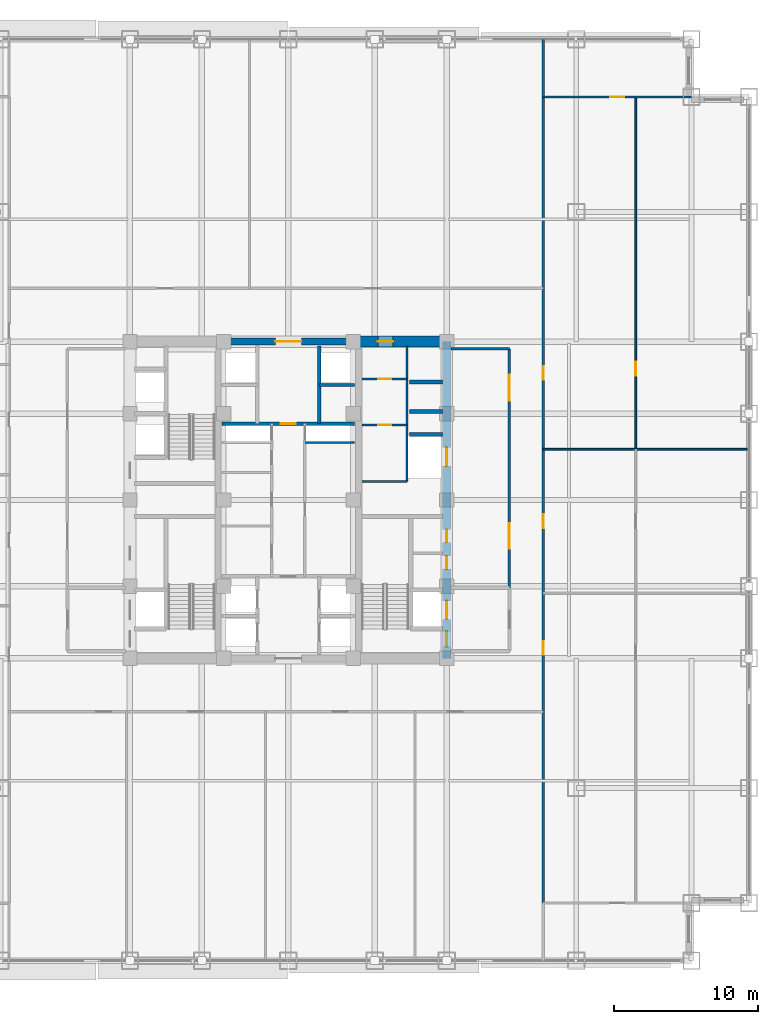
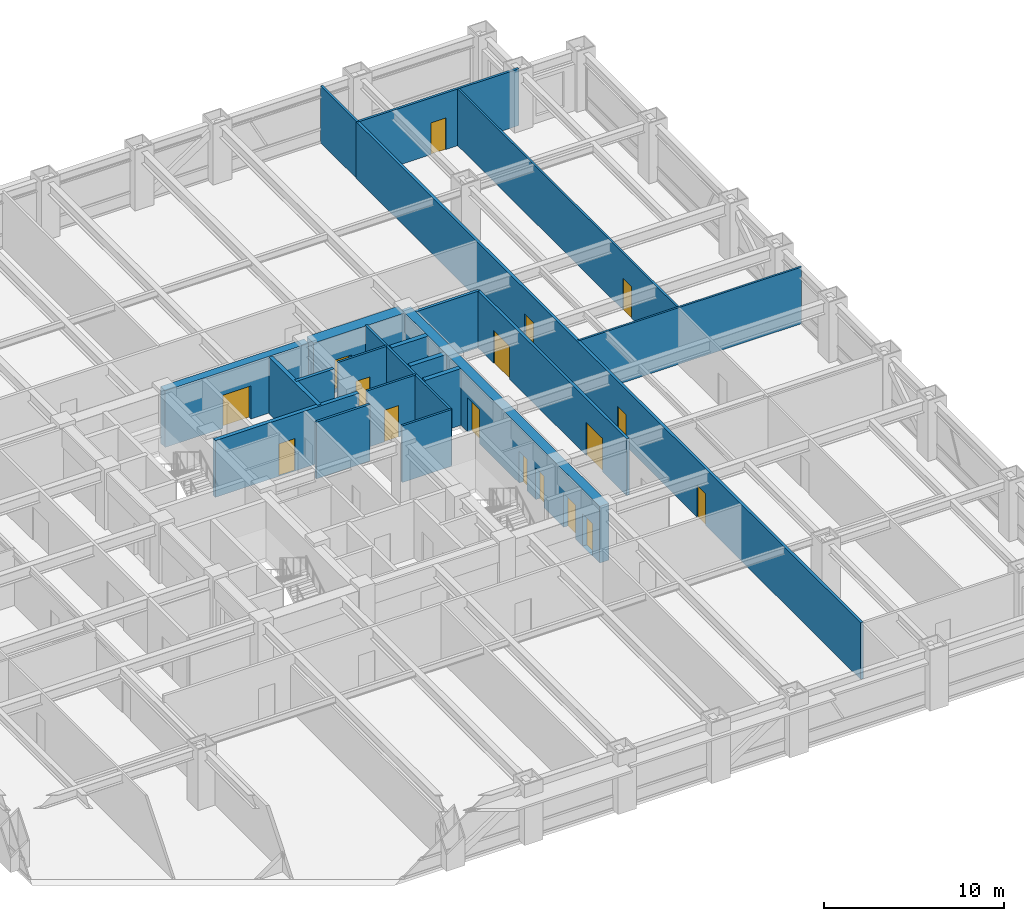
# One storey, part 26 of 32: 21 walls, 17 doors, 17 openings.
"""IFC4 building model written with IfcOpenShell, lengths in metres."""

from ifc_helpers import new_model, si_unit, direction, frame, frame_2d, origin, place, context, subcontext, project, spatial, rectangle, extrude, source, transform, mapped, material, layer, layer_set, type_object, element, fill, save


model = new_model("IFC4")

# Units and contexts
model_context = context("Model", 3, precision=1e-05, world=origin(), true_north=direction((0.0, 1.0)))
body_context = subcontext(model_context, "Body", "Model", "MODEL_VIEW")
ifc_project = project(units=[si_unit("LENGTHUNIT", "METRE"), si_unit("AREAUNIT", "SQUARE_METRE"), si_unit("VOLUMEUNIT", "CUBIC_METRE"), si_unit("PLANEANGLEUNIT", "RADIAN"), si_unit("MASSUNIT", "GRAM", prefix="KILO")], contexts=[model_context])

# Site, building, storey
site_placement = place(None, origin())
site = spatial("IfcSite", under=ifc_project, at=site_placement, CompositionType="ELEMENT")
building_placement = place(site_placement, origin())
building = spatial("IfcBuilding", under=site, at=building_placement, Name="Khorayat Bourse Tower", CompositionType="ELEMENT")
storey_placement = place(building_placement, frame((0.0, 0.0, 136.5)))
storey = spatial("IfcBuildingStorey", under=building, at=storey_placement, Name="L31", CompositionType="ELEMENT", Elevation=136.5)

# Wall, openings, doors
ifc_material_1 = material(Name="Concrete C60/75", Category="concrete")
ifc_layer_1 = layer(ifc_material_1, 0.60009765625)
ifc_layer_set_1 = layer_set([ifc_layer_1], Name="Concrete C60/75")
wall_type_1 = type_object("IfcWallType", Name="WAL-CORE-600", PredefinedType="SHEAR", material=ifc_layer_set_1)
shared_shape_1 = source(origin(), body_context, "Body", "SweptSolid", [
    extrude(rectangle(XDim=22.0, YDim=0.60009765625, at=frame_2d((11.0, 0.0))), origin(), (0.0, 0.0, 1.0), 3.840087890625),
])
wall_1_placement = place(storey_placement, frame((11.0, -11.0, 0.0), z_axis=(0.0, 0.0, 1.0), x_axis=(0.0, 1.0, 0.0)))
wall_1 = element("IfcWall", 1, at=wall_1_placement, inside=storey, type_object=wall_type_1, Name="L31 Core Shear Wall CORE-E", PredefinedType="SHEAR", context=body_context, shape_type="MappedRepresentation", body=[
    mapped(shared_shape_1, transform((0.0, 0.0, 0.0), scale=1.0)),
])
shared_shape_2 = source(origin(), body_context, "Body", "SweptSolid", [
    extrude(rectangle(XDim=1.10009765625, YDim=2.199951171875, at=frame_2d((0.550048828125, 1.10009765625))), frame((0.0, 0.31005859375, 0.0), z_axis=(0.0, -1.0, 0.0), x_axis=(1.0, 0.0, 0.0)), (0.0, 0.0, 1.0), 0.6201171875),
])
opening_1_placement = place(wall_1_placement, frame((0.800048828125, 0.0, 0.0)))
opening_1 = element("IfcOpeningElement", 2, at=opening_1_placement, cuts=wall_1, Name="Opening DI-01", PredefinedType="OPENING", context=body_context, shape_type="MappedRepresentation", body=[
    mapped(shared_shape_2, transform((0.0, 0.0, 0.0), scale=1.0)),
])
shared_shape_3 = source(origin(), body_context, "Body", "SweptSolid", [
    extrude(rectangle(XDim=0.89990234375, YDim=2.14990234375, at=frame_2d((0.449951171875, 1.074951171875))), frame((0.0, 0.31005859375, 0.0), z_axis=(0.0, -1.0, 0.0), x_axis=(1.0, 0.0, 0.0)), (0.0, 0.0, 1.0), 0.6201171875),
])
opening_2_placement = place(wall_1_placement, frame((6.199951171875, 0.0, 0.0)))
opening_2 = element("IfcOpeningElement", 3, at=opening_2_placement, cuts=wall_1, Name="Opening DI-06", PredefinedType="OPENING", context=body_context, shape_type="MappedRepresentation", body=[
    mapped(shared_shape_3, transform((0.0, 0.0, 0.0), scale=1.0)),
])
opening_3_placement = place(wall_1_placement, frame((8.050048828125, 0.0, 0.0)))
opening_3 = element("IfcOpeningElement", 4, at=opening_3_placement, cuts=wall_1, Name="Opening DI-06", PredefinedType="OPENING", context=body_context, shape_type="MappedRepresentation", body=[
    mapped(shared_shape_3, transform((0.0, 0.0, 0.0), scale=1.0)),
])
shared_shape_4 = source(origin(), body_context, "Body", "SweptSolid", [
    extrude(rectangle(XDim=1.300048828125, YDim=2.300048828125, at=frame_2d((0.64990234375, 1.14990234375))), frame((0.0, 0.31005859375, 0.0), z_axis=(0.0, -1.0, 0.0), x_axis=(1.0, 0.0, 0.0)), (0.0, 0.0, 1.0), 0.6201171875),
])
opening_4_placement = place(wall_1_placement, frame((2.699951171875, 0.0, 0.0)))
opening_4 = element("IfcOpeningElement", 5, at=opening_4_placement, cuts=wall_1, Name="Opening LD-02", PredefinedType="OPENING", context=body_context, shape_type="MappedRepresentation", body=[
    mapped(shared_shape_4, transform((0.0, 0.0, 0.0), scale=1.0)),
])
opening_5_placement = place(wall_1_placement, frame((13.35009765625, 0.0, 0.0)))
opening_5 = element("IfcOpeningElement", 6, at=opening_5_placement, cuts=wall_1, Name="Opening LD-02", PredefinedType="OPENING", context=body_context, shape_type="MappedRepresentation", body=[
    mapped(shared_shape_4, transform((0.0, 0.0, 0.0), scale=1.0)),
])
ifc_material_2 = material(Name="Fire-rated steel acoustic leaf", Category="steel")
door_type_1 = type_object("IfcDoorType", Name="DR-INT-STAIR-1100", OperationType="NOTDEFINED", PredefinedType="DOOR", material=ifc_material_2)
shared_shape_5 = source(origin(), body_context, "Body", "SweptSolid", [
    extrude(rectangle(XDim=1.10009765625, YDim=2.199951171875, at=frame_2d((0.550048828125, 1.10009765625))), frame((0.0, 0.02490234375, 0.0), z_axis=(0.0, -1.0, 0.0), x_axis=(1.0, 0.0, 0.0)), (0.0, 0.0, 1.0), 0.050048828125),
])
door_1_placement = place(opening_1_placement, origin())
door_1 = element("IfcDoor", 7, at=door_1_placement, inside=storey, type_object=door_type_1, Name="L31 Exit Stair 3 Door", OperationType="SINGLE_SWING_LEFT", OverallHeight=2.199951171875, OverallWidth=1.10009765625, PredefinedType="DOOR", context=body_context, shape_type="MappedRepresentation", body=[
    mapped(shared_shape_5, transform((0.0, 0.0, 0.0), scale=1.0)),
])
fill(opening_1, door_1)
ifc_material_3 = material(Name="Moisture-resistant laminate washroom door")
door_type_2 = type_object("IfcDoorType", Name="DR-INT-WC-900", OperationType="NOTDEFINED", PredefinedType="DOOR", material=ifc_material_3)
shared_shape_6 = source(origin(), body_context, "Body", "SweptSolid", [
    extrude(rectangle(XDim=0.89990234375, YDim=2.14990234375, at=frame_2d((0.449951171875, 1.074951171875))), frame((0.0, 0.02490234375, 0.0), z_axis=(0.0, -1.0, 0.0), x_axis=(1.0, 0.0, 0.0)), (0.0, 0.0, 1.0), 0.050048828125),
])
door_2_placement = place(opening_2_placement, origin())
door_2 = element("IfcDoor", 8, at=door_2_placement, inside=storey, type_object=door_type_2, Name="L31 Comms Closet Door", OperationType="SINGLE_SWING_LEFT", OverallHeight=2.14990234375, OverallWidth=0.89990234375, PredefinedType="DOOR", context=body_context, shape_type="MappedRepresentation", body=[
    mapped(shared_shape_6, transform((0.0, 0.0, 0.0), scale=1.0)),
])
fill(opening_2, door_2)
door_3_placement = place(opening_3_placement, origin())
door_3 = element("IfcDoor", 9, at=door_3_placement, inside=storey, type_object=door_type_2, Name="L31 Cleaner Store Door", OperationType="SINGLE_SWING_RIGHT", OverallHeight=2.14990234375, OverallWidth=0.89990234375, PredefinedType="DOOR", context=body_context, shape_type="MappedRepresentation", body=[
    mapped(shared_shape_6, transform((0.0, 0.0, 0.0), scale=1.0)),
])
fill(opening_3, door_3)
ifc_material_4 = material(Name="Fire-rated stainless-steel sliding landing door", Category="steel")
door_type_3 = type_object("IfcDoorType", Name="DR-LIFT-FF-1300", OperationType="NOTDEFINED", PredefinedType="DOOR", material=ifc_material_4)
shared_shape_7 = source(origin(), body_context, "Body", "SweptSolid", [
    extrude(rectangle(XDim=1.300048828125, YDim=2.300048828125, at=frame_2d((0.64990234375, 1.14990234375))), frame((0.0, 0.02490234375, 0.0), z_axis=(0.0, -1.0, 0.0), x_axis=(1.0, 0.0, 0.0)), (0.0, 0.0, 1.0), 0.050048828125),
])
door_4_placement = place(opening_4_placement, origin())
door_4 = element("IfcDoor", 10, at=door_4_placement, inside=storey, type_object=door_type_3, Name="L31 Lift FFL-02 Sliding Landing Door", OperationType="SLIDING_TO_LEFT", OverallHeight=2.300048828125, OverallWidth=1.300048828125, PredefinedType="DOOR", context=body_context, shape_type="MappedRepresentation", body=[
    mapped(shared_shape_7, transform((0.0, 0.0, 0.0), scale=1.0)),
])
fill(opening_4, door_4)
door_5_placement = place(opening_5_placement, origin())
door_5 = element("IfcDoor", 11, at=door_5_placement, inside=storey, type_object=door_type_3, Name="L31 Lift SVL-01 Sliding Landing Door", OperationType="SLIDING_TO_LEFT", OverallHeight=2.300048828125, OverallWidth=1.300048828125, PredefinedType="DOOR", context=body_context, shape_type="MappedRepresentation", body=[
    mapped(shared_shape_7, transform((0.0, 0.0, 0.0), scale=1.0)),
])
fill(opening_5, door_5)

# Wall, opening, door
ifc_material_5 = material(Name="Concrete C72/90", Category="concrete")
ifc_layer_2 = layer(ifc_material_5, 0.75)
ifc_layer_set_2 = layer_set([ifc_layer_2], Name="Concrete C72/90")
wall_type_2 = type_object("IfcWallType", Name="WAL-CORE-750", PredefinedType="SHEAR", material=ifc_layer_set_2)
shared_shape_8 = source(origin(), body_context, "Body", "SweptSolid", [
    extrude(rectangle(XDim=5.849853515625, YDim=0.75, at=frame_2d((2.9248046875, 0.0))), origin(), (0.0, 0.0, 1.0), 3.840087890625),
])
wall_2_placement = place(storey_placement, frame((4.85009765625, 11.0, 0.0), z_axis=(0.0, 0.0, 1.0), x_axis=(1.0, 0.0, 0.0)))
wall_2 = element("IfcWall", 12, at=wall_2_placement, inside=storey, type_object=wall_type_2, Name="L31 Core Shear Wall PIER-EN", PredefinedType="SHEAR", context=body_context, shape_type="MappedRepresentation", body=[
    mapped(shared_shape_8, transform((0.0, 0.0, 0.0), scale=1.0)),
])
shared_shape_9 = source(origin(), body_context, "Body", "SweptSolid", [
    extrude(rectangle(XDim=1.050048828125, YDim=2.199951171875, at=frame_2d((0.52490234375, 1.10009765625))), frame((0.0, 0.385009765625, 0.0), z_axis=(0.0, -1.0, 0.0), x_axis=(1.0, 0.0, 0.0)), (0.0, 0.0, 1.0), 0.77001953125),
])
opening_6_placement = place(wall_2_placement, frame((1.375, 0.0, 0.0)))
opening_6 = element("IfcOpeningElement", 13, at=opening_6_placement, cuts=wall_2, Name="Opening DI-04", PredefinedType="OPENING", context=body_context, shape_type="MappedRepresentation", body=[
    mapped(shared_shape_9, transform((0.0, 0.0, 0.0), scale=1.0)),
])
ifc_material_6 = material(Name="Fire-rated oak veneer suite entrance door")
door_type_4 = type_object("IfcDoorType", Name="DR-INT-SUITE-1050", OperationType="NOTDEFINED", PredefinedType="DOOR", material=ifc_material_6)
shared_shape_10 = source(origin(), body_context, "Body", "SweptSolid", [
    extrude(rectangle(XDim=1.050048828125, YDim=2.199951171875, at=frame_2d((0.52490234375, 1.10009765625))), frame((0.0, 0.02490234375, 0.0), z_axis=(0.0, -1.0, 0.0), x_axis=(1.0, 0.0, 0.0)), (0.0, 0.0, 1.0), 0.050048828125),
])
door_6_placement = place(opening_6_placement, origin())
door_6 = element("IfcDoor", 14, at=door_6_placement, inside=storey, type_object=door_type_4, Name="L31 Core Washroom Lobby Door", OperationType="SINGLE_SWING_LEFT", OverallHeight=2.199951171875, OverallWidth=1.050048828125, PredefinedType="DOOR", context=body_context, shape_type="MappedRepresentation", body=[
    mapped(shared_shape_10, transform((0.0, 0.0, 0.0), scale=1.0)),
])
fill(opening_6, door_6)

ifc_material_7 = material(Name="Concrete C52/65", Category="concrete")
ifc_layer_3 = layer(ifc_material_7, 0.5)
ifc_layer_set_3 = layer_set([ifc_layer_3], Name="Concrete C52/65")
wall_type_3 = type_object("IfcWallType", Name="WAL-CORE-500", PredefinedType="SHEAR", material=ifc_layer_set_3)
shared_shape_11 = source(origin(), body_context, "Body", "SweptSolid", [
    extrude(rectangle(XDim=9.2001953125, YDim=0.5, at=frame_2d((4.60009765625, 0.0))), origin(), (0.0, 0.0, 1.0), 3.840087890625),
])
wall_3_placement = place(storey_placement, frame((-4.60009765625, 11.0, 0.0), z_axis=(0.0, 0.0, 1.0), x_axis=(1.0, 0.0, 0.0)))
wall_3 = element("IfcWall", 15, at=wall_3_placement, inside=storey, type_object=wall_type_3, Name="L31 Core Shear Wall CORE-N", PredefinedType="SHEAR", context=body_context, shape_type="MappedRepresentation", body=[
    mapped(shared_shape_11, transform((0.0, 0.0, 0.0), scale=1.0)),
])
shared_shape_12 = source(origin(), body_context, "Body", "SweptSolid", [
    extrude(rectangle(XDim=1.800048828125, YDim=2.25, at=frame_2d((0.89990234375, 1.125))), frame((0.0, 0.260009765625, 0.0), z_axis=(0.0, -1.0, 0.0), x_axis=(1.0, 0.0, 0.0)), (0.0, 0.0, 1.0), 0.52001953125),
])
opening_7_placement = place(wall_3_placement, frame((3.699951171875, 0.0, 0.0)))
opening_7 = element("IfcOpeningElement", 16, at=opening_7_placement, cuts=wall_3, Name="Opening DI-03", PredefinedType="OPENING", context=body_context, shape_type="MappedRepresentation", body=[
    mapped(shared_shape_12, transform((0.0, 0.0, 0.0), scale=1.0)),
])
ifc_material_8 = material(Name="Fire-rated hardwood vision-panel double leaf", Category="wood")
door_type_5 = type_object("IfcDoorType", Name="DR-INT-CORR-1800", OperationType="NOTDEFINED", PredefinedType="DOOR", material=ifc_material_8)
shared_shape_13 = source(origin(), body_context, "Body", "SweptSolid", [
    extrude(rectangle(XDim=1.800048828125, YDim=2.25, at=frame_2d((0.89990234375, 1.125))), frame((0.0, 0.02490234375, 0.0), z_axis=(0.0, -1.0, 0.0), x_axis=(1.0, 0.0, 0.0)), (0.0, 0.0, 1.0), 0.050048828125),
])
door_7_placement = place(opening_7_placement, origin())
door_7 = element("IfcDoor", 17, at=door_7_placement, inside=storey, type_object=door_type_5, Name="L31 Mid-Rise Lift Lobby Door", OperationType="SINGLE_SWING_RIGHT", OverallHeight=2.25, OverallWidth=1.800048828125, PredefinedType="DOOR", context=body_context, shape_type="MappedRepresentation", body=[
    mapped(shared_shape_13, transform((0.0, 0.0, 0.0), scale=1.0)),
])
fill(opening_7, door_7)

# Walls
ifc_material_9 = material(Name="Concrete C50/60", Category="concrete")
ifc_layer_4 = layer(ifc_material_9, 0.300048828125)
ifc_layer_set_4 = layer_set([ifc_layer_4], Name="Concrete C50/60")
wall_type_4 = type_object("IfcWallType", Name="WAL-SHAFT-300", PredefinedType="SHEAR", material=ifc_layer_set_4)
shared_shape_14 = source(origin(), body_context, "Body", "SweptSolid", [
    extrude(rectangle(XDim=2.300048828125, YDim=0.300048828125, at=frame_2d((1.14990234375, 0.0))), origin(), (0.0, 0.0, 1.0), 3.840087890625),
])
for number, where, z_axis, x_axis, name in (
    (18, (8.39990234375, 4.550048828125, 0.0), (0.0, 0.0, 1.0), (1.0, 0.0, 0.0), "L31 Partition WAL-L31-EPIER-SVLN"),
    (19, (8.39990234375, 6.14990234375, 0.0), (0.0, 0.0, 1.0), (1.0, 0.0, 0.0), "L31 Partition WAL-L31-EPIER-H3S"),
    (20, (8.39990234375, 8.199951171875, 0.0), (0.0, 0.0, 1.0), (1.0, 0.0, 0.0), "L31 Partition WAL-L31-EPIER-H34"),
):
    element("IfcWall", number, at=place(storey_placement, frame(where, z_axis=z_axis, x_axis=x_axis)), inside=storey, type_object=wall_type_4, Name=name, PredefinedType="SHEAR", context=body_context, shape_type="MappedRepresentation", body=[
        mapped(shared_shape_14, transform((0.0, 0.0, 0.0), scale=1.0)),
    ])
ifc_material_10 = material(Name="Moisture-resistant masonry partition", Category="masonry")
ifc_layer_5 = layer(ifc_material_10, 0.139892578125)
ifc_layer_set_5 = layer_set([ifc_layer_5], Name="Moisture-resistant masonry partition")
wall_type_5 = type_object("IfcWallType", Name="WAL-PART-WET-140", PredefinedType="PARTITIONING", material=ifc_layer_set_5)
shared_shape_15 = source(origin(), body_context, "Body", "SweptSolid", [
    extrude(rectangle(XDim=9.39990234375, YDim=0.139892578125, at=frame_2d((4.699951171875, 0.0))), origin(), (0.0, 0.0, 1.0), 3.840087890625),
])
wall_4_placement = place(storey_placement, frame((8.25, 1.300048828125, 0.0), z_axis=(0.0, 0.0, 1.0), x_axis=(0.0, 1.0, 0.0)))
element("IfcWall", 21, at=wall_4_placement, inside=storey, type_object=wall_type_5, Name="L31 Partition WAL-L31-ECORE-E", PredefinedType="PARTITIONING", context=body_context, shape_type="MappedRepresentation", body=[
    mapped(shared_shape_15, transform((0.0, 0.0, 0.0), scale=1.0)),
])
shared_shape_16 = source(origin(), body_context, "Body", "SweptSolid", [
    extrude(rectangle(XDim=3.14990234375, YDim=0.139892578125, at=frame_2d((1.574951171875, 0.0))), origin(), (0.0, 0.0, 1.0), 3.840087890625),
])
wall_5_placement = place(storey_placement, frame((5.10009765625, 1.300048828125, 0.0), z_axis=(0.0, 0.0, 1.0), x_axis=(1.0, 0.0, 0.0)))
element("IfcWall", 22, at=wall_5_placement, inside=storey, type_object=wall_type_5, Name="L31 Partition WAL-L31-ECORE-S", PredefinedType="PARTITIONING", context=body_context, shape_type="MappedRepresentation", body=[
    mapped(shared_shape_16, transform((0.0, 0.0, 0.0), scale=1.0)),
])

# Wall, opening, door
wall_6_placement = place(storey_placement, frame((5.10009765625, 8.39990234375, 0.0), z_axis=(0.0, 0.0, 1.0), x_axis=(1.0, 0.0, 0.0)))
wall_6 = element("IfcWall", 23, at=wall_6_placement, inside=storey, type_object=wall_type_5, Name="L31 Partition WAL-L31-ECW-TOP", PredefinedType="PARTITIONING", context=body_context, shape_type="MappedRepresentation", body=[
    mapped(shared_shape_16, transform((0.0, 0.0, 0.0), scale=1.0)),
])
shared_shape_17 = source(origin(), body_context, "Body", "SweptSolid", [
    extrude(rectangle(XDim=0.89990234375, YDim=2.14990234375, at=frame_2d((0.449951171875, 1.074951171875))), frame((0.0, 0.079833984375, 0.0), z_axis=(0.0, -1.0, 0.0), x_axis=(1.0, 0.0, 0.0)), (0.0, 0.0, 1.0), 0.159912109375),
])
opening_8_placement = place(wall_6_placement, frame((1.1298828125, 0.0, 0.0)))
opening_8 = element("IfcOpeningElement", 24, at=opening_8_placement, cuts=wall_6, Name="Opening DI-06", PredefinedType="OPENING", context=body_context, shape_type="MappedRepresentation", body=[
    mapped(shared_shape_17, transform((0.0, 0.0, 0.0), scale=1.0)),
])
door_8_placement = place(opening_8_placement, origin())
door_8 = element("IfcDoor", 25, at=door_8_placement, inside=storey, type_object=door_type_2, Name="L31 Accessible WC Door", OperationType="SINGLE_SWING_LEFT", OverallHeight=2.14990234375, OverallWidth=0.89990234375, PredefinedType="DOOR", context=body_context, shape_type="MappedRepresentation", body=[
    mapped(shared_shape_6, transform((0.0, 0.0, 0.0), scale=1.0)),
])
fill(opening_8, door_8)

wall_7_placement = place(storey_placement, frame((5.10009765625, 5.199951171875, 0.0), z_axis=(0.0, 0.0, 1.0), x_axis=(1.0, 0.0, 0.0)))
wall_7 = element("IfcWall", 26, at=wall_7_placement, inside=storey, type_object=wall_type_5, Name="L31 Partition WAL-L31-ECW-HZ", PredefinedType="PARTITIONING", context=body_context, shape_type="MappedRepresentation", body=[
    mapped(shared_shape_16, transform((0.0, 0.0, 0.0), scale=1.0)),
])
opening_9_placement = place(wall_7_placement, frame((1.1298828125, 0.0, 0.0)))
opening_9 = element("IfcOpeningElement", 27, at=opening_9_placement, cuts=wall_7, Name="Opening DI-06", PredefinedType="OPENING", context=body_context, shape_type="MappedRepresentation", body=[
    mapped(shared_shape_17, transform((0.0, 0.0, 0.0), scale=1.0)),
])
door_9_placement = place(opening_9_placement, origin())
door_9 = element("IfcDoor", 28, at=door_9_placement, inside=storey, type_object=door_type_2, Name="L31 Shared Washroom Door", OperationType="SINGLE_SWING_RIGHT", OverallHeight=2.14990234375, OverallWidth=0.89990234375, PredefinedType="DOOR", context=body_context, shape_type="MappedRepresentation", body=[
    mapped(shared_shape_6, transform((0.0, 0.0, 0.0), scale=1.0)),
])
fill(opening_9, door_9)

# Wall
ifc_material_11 = material(Name="Gypsum plasterboard acoustic stud wall")
ifc_layer_6 = layer(ifc_material_11, 0.179931640625)
ifc_layer_set_6 = layer_set([ifc_layer_6], Name="Gypsum plasterboard acoustic stud wall")
wall_type_6 = type_object("IfcWallType", Name="WAL-PART-CORR-180", PredefinedType="PARTITIONING", material=ifc_layer_set_6)
shared_shape_18 = source(origin(), body_context, "Body", "SweptSolid", [
    extrude(rectangle(XDim=4.050048828125, YDim=0.179931640625, at=frame_2d((2.02490234375, 0.0))), origin(), (0.0, 0.0, 1.0), 3.840087890625),
])
wall_8_placement = place(storey_placement, frame((11.300048828125, 10.5, 0.0), z_axis=(0.0, 0.0, 1.0), x_axis=(1.0, 0.0, 0.0)))
element("IfcWall", 29, at=wall_8_placement, inside=storey, type_object=wall_type_6, Name="L31 Partition WAL-L31-ELOB-N", PredefinedType="PARTITIONING", context=body_context, shape_type="MappedRepresentation", body=[
    mapped(shared_shape_18, transform((0.0, 0.0, 0.0), scale=1.0)),
])

# Wall, openings, doors
shared_shape_19 = source(origin(), body_context, "Body", "SweptSolid", [
    extrude(rectangle(XDim=16.60009765625, YDim=0.179931640625, at=frame_2d((8.300048828125, 0.0))), origin(), (0.0, 0.0, 1.0), 3.840087890625),
])
wall_9_placement = place(storey_placement, frame((15.35009765625, -6.10009765625, 0.0), z_axis=(0.0, 0.0, 1.0), x_axis=(0.0, 1.0, 0.0)))
wall_9 = element("IfcWall", 30, at=wall_9_placement, inside=storey, type_object=wall_type_6, Name="L31 Partition WAL-L31-ELOB-E", PredefinedType="PARTITIONING", context=body_context, shape_type="MappedRepresentation", body=[
    mapped(shared_shape_19, transform((0.0, 0.0, 0.0), scale=1.0)),
])
shared_shape_20 = source(origin(), body_context, "Body", "SweptSolid", [
    extrude(rectangle(XDim=1.800048828125, YDim=2.25, at=frame_2d((0.89990234375, 1.125))), frame((0.0, 0.099853515625, 0.0), z_axis=(0.0, -1.0, 0.0), x_axis=(1.0, 0.0, 0.0)), (0.0, 0.0, 1.0), 0.199951171875),
])
opening_10_placement = place(wall_9_placement, frame((2.699951171875, 0.0, 0.0)))
opening_10 = element("IfcOpeningElement", 31, at=opening_10_placement, cuts=wall_9, Name="Opening DI-03", PredefinedType="OPENING", context=body_context, shape_type="MappedRepresentation", body=[
    mapped(shared_shape_20, transform((0.0, 0.0, 0.0), scale=1.0)),
])
opening_11_placement = place(wall_9_placement, frame((13.0, 0.0, 0.0)))
opening_11 = element("IfcOpeningElement", 32, at=opening_11_placement, cuts=wall_9, Name="Opening DI-03", PredefinedType="OPENING", context=body_context, shape_type="MappedRepresentation", body=[
    mapped(shared_shape_20, transform((0.0, 0.0, 0.0), scale=1.0)),
])
door_10_placement = place(opening_10_placement, origin())
door_10 = element("IfcDoor", 33, at=door_10_placement, inside=storey, type_object=door_type_5, Name="L31 East Core Lobby South Door", OperationType="SINGLE_SWING_RIGHT", OverallHeight=2.25, OverallWidth=1.800048828125, PredefinedType="DOOR", context=body_context, shape_type="MappedRepresentation", body=[
    mapped(shared_shape_13, transform((0.0, 0.0, 0.0), scale=1.0)),
])
fill(opening_10, door_10)
door_11_placement = place(opening_11_placement, origin())
door_11 = element("IfcDoor", 34, at=door_11_placement, inside=storey, type_object=door_type_5, Name="L31 East Core Lobby North Door", OperationType="SINGLE_SWING_LEFT", OverallHeight=2.25, OverallWidth=1.800048828125, PredefinedType="DOOR", context=body_context, shape_type="MappedRepresentation", body=[
    mapped(shared_shape_13, transform((0.0, 0.0, 0.0), scale=1.0)),
])
fill(opening_11, door_11)

# Walls
ifc_material_12 = material(Name="Gypsum plasterboard twin-frame partition")
ifc_layer_7 = layer(ifc_material_12, 0.14990234375)
ifc_layer_set_7 = layer_set([ifc_layer_7], Name="Gypsum plasterboard twin-frame partition")
wall_type_7 = type_object("IfcWallType", Name="WAL-PART-SUITE-150", PredefinedType="PARTITIONING", material=ifc_layer_set_7)
shared_shape_21 = source(origin(), body_context, "Body", "SweptSolid", [
    extrude(rectangle(XDim=3.4501953125, YDim=0.14990234375, at=frame_2d((1.72509765625, 0.0))), origin(), (0.0, 0.0, 1.0), 3.840087890625),
])
wall_10_placement = place(storey_placement, frame((1.14990234375, 4.0, 0.0), z_axis=(0.0, 0.0, 1.0), x_axis=(1.0, 0.0, 0.0)))
element("IfcWall", 35, at=wall_10_placement, inside=storey, type_object=wall_type_7, Name="L31 Partition WAL-L31-CRSE-S", PredefinedType="PARTITIONING", context=body_context, shape_type="MappedRepresentation", body=[
    mapped(shared_shape_21, transform((0.0, 0.0, 0.0), scale=1.0)),
])
shared_shape_22 = source(origin(), body_context, "Body", "SweptSolid", [
    extrude(rectangle(XDim=5.39990234375, YDim=0.25, at=frame_2d((2.699951171875, 0.0))), origin(), (0.0, 0.0, 1.0), 3.840087890625),
])
wall_11_placement = place(storey_placement, frame((2.14990234375, 5.300048828125, 0.0), z_axis=(0.0, 0.0, 1.0), x_axis=(0.0, 1.0, 0.0)))
element("IfcWall", 36, at=wall_11_placement, inside=storey, type_object=wall_type_4, Name="L31 Partition WAL-L31-B2-E", PredefinedType="SHEAR", context=body_context, shape_type="MappedRepresentation", body=[
    mapped(shared_shape_22, transform((0.0, 0.0, 0.0), scale=1.0)),
])
shared_shape_23 = source(origin(), body_context, "Body", "SweptSolid", [
    extrude(rectangle(XDim=2.4501953125, YDim=0.199951171875, at=frame_2d((1.22509765625, 0.0))), origin(), (0.0, 0.0, 1.0), 3.840087890625),
])
wall_12_placement = place(storey_placement, frame((2.14990234375, 8.0, 0.0), z_axis=(0.0, 0.0, 1.0), x_axis=(1.0, 0.0, 0.0)))
element("IfcWall", 37, at=wall_12_placement, inside=storey, type_object=wall_type_4, Name="L31 Partition WAL-L31-B2-ME", PredefinedType="SHEAR", context=body_context, shape_type="MappedRepresentation", body=[
    mapped(shared_shape_23, transform((0.0, 0.0, 0.0), scale=1.0)),
])

# Wall, opening, door
shared_shape_24 = source(origin(), body_context, "Body", "SweptSolid", [
    extrude(rectangle(XDim=9.2001953125, YDim=0.25, at=frame_2d((4.60009765625, 0.0))), origin(), (0.0, 0.0, 1.0), 3.840087890625),
])
wall_13_placement = place(storey_placement, frame((-4.60009765625, 5.300048828125, 0.0), z_axis=(0.0, 0.0, 1.0), x_axis=(1.0, 0.0, 0.0)))
wall_13 = element("IfcWall", 38, at=wall_13_placement, inside=storey, type_object=wall_type_4, Name="L31 Partition WAL-L31-B2-S", PredefinedType="SHEAR", context=body_context, shape_type="MappedRepresentation", body=[
    mapped(shared_shape_24, transform((0.0, 0.0, 0.0), scale=1.0)),
])
shared_shape_25 = source(origin(), body_context, "Body", "SweptSolid", [
    extrude(rectangle(XDim=1.050048828125, YDim=2.199951171875, at=frame_2d((0.52490234375, 1.10009765625))), frame((0.0, 0.135009765625, 0.0), z_axis=(0.0, -1.0, 0.0), x_axis=(1.0, 0.0, 0.0)), (0.0, 0.0, 1.0), 0.27001953125),
])
opening_12_placement = place(wall_13_placement, frame((4.074951171875, 0.0, 0.0)))
opening_12 = element("IfcOpeningElement", 39, at=opening_12_placement, cuts=wall_13, Name="Opening DI-04", PredefinedType="OPENING", context=body_context, shape_type="MappedRepresentation", body=[
    mapped(shared_shape_25, transform((0.0, 0.0, 0.0), scale=1.0)),
])
door_12_placement = place(opening_12_placement, origin())
door_12 = element("IfcDoor", 40, at=door_12_placement, inside=storey, type_object=door_type_4, Name="L31 Core Spine North Door", OperationType="SINGLE_SWING_RIGHT", OverallHeight=2.199951171875, OverallWidth=1.050048828125, PredefinedType="DOOR", context=body_context, shape_type="MappedRepresentation", body=[
    mapped(shared_shape_10, transform((0.0, 0.0, 0.0), scale=1.0)),
])
fill(opening_12, door_12)

# Walls
shared_shape_26 = source(origin(), body_context, "Body", "SweptSolid", [
    extrude(rectangle(XDim=4.0, YDim=0.14990234375, at=frame_2d((2.0, 0.0))), origin(), (0.0, 0.0, 1.0), 3.840087890625),
])
wall_14_placement = place(storey_placement, frame((17.699951171875, 28.0, 0.0), z_axis=(0.0, 0.0, 1.0), x_axis=(0.0, 1.0, 0.0)))
element("IfcWall", 41, at=wall_14_placement, inside=storey, type_object=wall_type_7, Name="L31 Partition WAL-L31-NCE-END", PredefinedType="PARTITIONING", context=body_context, shape_type="MappedRepresentation", body=[
    mapped(shared_shape_26, transform((0.0, 0.0, 0.0), scale=1.0)),
])
ifc_material_13 = material(Name="Gypsum plasterboard partition")
ifc_layer_8 = layer(ifc_material_13, 0.125)
ifc_layer_set_8 = layer_set([ifc_layer_8], Name="Gypsum plasterboard partition")
wall_type_8 = type_object("IfcWallType", Name="WAL-PART-ROOM-125", PredefinedType="PARTITIONING", material=ifc_layer_set_8)
shared_shape_27 = source(origin(), body_context, "Body", "SweptSolid", [
    extrude(rectangle(XDim=14.300048828125, YDim=0.125, at=frame_2d((7.14990234375, 0.0))), origin(), (0.0, 0.0, 1.0), 3.840087890625),
])
wall_15_placement = place(storey_placement, frame((17.699951171875, 3.528076171875, 0.0), z_axis=(0.0, 0.0, 1.0), x_axis=(1.0, 0.0, 0.0)))
element("IfcWall", 42, at=wall_15_placement, inside=storey, type_object=wall_type_8, Name="L31 Partition WAL-L31-EDV-2", PredefinedType="PARTITIONING", context=body_context, shape_type="MappedRepresentation", body=[
    mapped(shared_shape_27, transform((0.0, 0.0, 0.0), scale=1.0)),
])

# Wall, openings, doors
shared_shape_28 = source(origin(), body_context, "Body", "SweptSolid", [
    extrude(rectangle(XDim=56.0, YDim=0.179931640625, at=frame_2d((28.0, 0.0))), origin(), (0.0, 0.0, 1.0), 3.840087890625),
])
wall_16_placement = place(storey_placement, frame((17.699951171875, -28.0, 0.0), z_axis=(0.0, 0.0, 1.0), x_axis=(0.0, 1.0, 0.0)))
wall_16 = element("IfcWall", 43, at=wall_16_placement, inside=storey, type_object=wall_type_6, Name="L31 Partition WAL-L31-ECORR", PredefinedType="PARTITIONING", context=body_context, shape_type="MappedRepresentation", body=[
    mapped(shared_shape_28, transform((0.0, 0.0, 0.0), scale=1.0)),
])
shared_shape_29 = source(origin(), body_context, "Body", "SweptSolid", [
    extrude(rectangle(XDim=0.949951171875, YDim=2.14990234375, at=frame_2d((0.47509765625, 1.074951171875))), frame((0.0, 0.099853515625, 0.0), z_axis=(0.0, -1.0, 0.0), x_axis=(1.0, 0.0, 0.0)), (0.0, 0.0, 1.0), 0.199951171875),
])
opening_13_placement = place(wall_16_placement, frame((17.240966796875, 0.0, 0.0)))
opening_13 = element("IfcOpeningElement", 44, at=opening_13_placement, cuts=wall_16, Name="Opening DI-05", PredefinedType="OPENING", context=body_context, shape_type="MappedRepresentation", body=[
    mapped(shared_shape_29, transform((0.0, 0.0, 0.0), scale=1.0)),
])
opening_14_placement = place(wall_16_placement, frame((26.054931640625, 0.0, 0.0)))
opening_14 = element("IfcOpeningElement", 45, at=opening_14_placement, cuts=wall_16, Name="Opening DI-05", PredefinedType="OPENING", context=body_context, shape_type="MappedRepresentation", body=[
    mapped(shared_shape_29, transform((0.0, 0.0, 0.0), scale=1.0)),
])
opening_15_placement = place(wall_16_placement, frame((36.339111328125, 0.0, 0.0)))
opening_15 = element("IfcOpeningElement", 46, at=opening_15_placement, cuts=wall_16, Name="Opening DI-05", PredefinedType="OPENING", context=body_context, shape_type="MappedRepresentation", body=[
    mapped(shared_shape_29, transform((0.0, 0.0, 0.0), scale=1.0)),
])
ifc_material_14 = material(Name="Acoustic oak veneer office door")
door_type_6 = type_object("IfcDoorType", Name="DR-INT-OFFICE-950", OperationType="NOTDEFINED", PredefinedType="DOOR", material=ifc_material_14)
shared_shape_30 = source(origin(), body_context, "Body", "SweptSolid", [
    extrude(rectangle(XDim=0.949951171875, YDim=2.14990234375, at=frame_2d((0.47509765625, 1.074951171875))), frame((0.0, 0.02490234375, 0.0), z_axis=(0.0, -1.0, 0.0), x_axis=(1.0, 0.0, 0.0)), (0.0, 0.0, 1.0), 0.050048828125),
])
door_13_placement = place(opening_13_placement, origin())
door_13 = element("IfcDoor", 47, at=door_13_placement, inside=storey, type_object=door_type_6, Name="L31 Floor Reception Concierge E1 Door", OperationType="SINGLE_SWING_RIGHT", OverallHeight=2.14990234375, OverallWidth=0.949951171875, PredefinedType="DOOR", context=body_context, shape_type="MappedRepresentation", body=[
    mapped(shared_shape_30, transform((0.0, 0.0, 0.0), scale=1.0)),
])
fill(opening_13, door_13)
door_14_placement = place(opening_14_placement, origin())
door_14 = element("IfcDoor", 48, at=door_14_placement, inside=storey, type_object=door_type_6, Name="L31 Members Exchange Lounge E2 Door", OperationType="SINGLE_SWING_LEFT", OverallHeight=2.14990234375, OverallWidth=0.949951171875, PredefinedType="DOOR", context=body_context, shape_type="MappedRepresentation", body=[
    mapped(shared_shape_30, transform((0.0, 0.0, 0.0), scale=1.0)),
])
fill(opening_14, door_14)
door_15_placement = place(opening_15_placement, origin())
door_15 = element("IfcDoor", 49, at=door_15_placement, inside=storey, type_object=door_type_6, Name="L31 Members Club Room E3 Door", OperationType="SINGLE_SWING_RIGHT", OverallHeight=2.14990234375, OverallWidth=0.949951171875, PredefinedType="DOOR", context=body_context, shape_type="MappedRepresentation", body=[
    mapped(shared_shape_30, transform((0.0, 0.0, 0.0), scale=1.0)),
])
fill(opening_15, door_15)

# Wall, opening, door
shared_shape_31 = source(origin(), body_context, "Body", "SweptSolid", [
    extrude(rectangle(XDim=10.300048828125, YDim=0.14990234375, at=frame_2d((5.14990234375, 0.0))), origin(), (0.0, 0.0, 1.0), 3.840087890625),
])
wall_17_placement = place(storey_placement, frame((17.699951171875, 28.0, 0.0), z_axis=(0.0, 0.0, 1.0), x_axis=(1.0, 0.0, 0.0)))
wall_17 = element("IfcWall", 50, at=wall_17_placement, inside=storey, type_object=wall_type_7, Name="L31 Partition WAL-L31-CNE", PredefinedType="PARTITIONING", context=body_context, shape_type="MappedRepresentation", body=[
    mapped(shared_shape_31, transform((0.0, 0.0, 0.0), scale=1.0)),
])
shared_shape_32 = source(origin(), body_context, "Body", "SweptSolid", [
    extrude(rectangle(XDim=0.949951171875, YDim=2.14990234375, at=frame_2d((0.47509765625, 1.074951171875))), frame((0.0, 0.0849609375, 0.0), z_axis=(0.0, -1.0, 0.0), x_axis=(1.0, 0.0, 0.0)), (0.0, 0.0, 1.0), 0.169921875),
])
opening_16_placement = place(wall_17_placement, frame((4.675048828125, 0.0, 0.0)))
opening_16 = element("IfcOpeningElement", 51, at=opening_16_placement, cuts=wall_17, Name="Opening DI-05", PredefinedType="OPENING", context=body_context, shape_type="MappedRepresentation", body=[
    mapped(shared_shape_32, transform((0.0, 0.0, 0.0), scale=1.0)),
])
door_16_placement = place(opening_16_placement, origin())
door_16 = element("IfcDoor", 52, at=door_16_placement, inside=storey, type_object=door_type_6, Name="L31 North-East Corner Lounge Door", OperationType="SINGLE_SWING_LEFT", OverallHeight=2.14990234375, OverallWidth=0.949951171875, PredefinedType="DOOR", context=body_context, shape_type="MappedRepresentation", body=[
    mapped(shared_shape_30, transform((0.0, 0.0, 0.0), scale=1.0)),
])
fill(opening_16, door_16)

shared_shape_33 = source(origin(), body_context, "Body", "SweptSolid", [
    extrude(rectangle(XDim=24.471923828125, YDim=0.125, at=frame_2d((12.23583984375, 0.0))), origin(), (0.0, 0.0, 1.0), 3.840087890625),
])
wall_18_placement = place(storey_placement, frame((24.135009765625, 3.528076171875, 0.0), z_axis=(0.0, 0.0, 1.0), x_axis=(0.0, 1.0, 0.0)))
wall_18 = element("IfcWall", 53, at=wall_18_placement, inside=storey, type_object=wall_type_8, Name="L31 Partition WAL-L31-EDP-3", PredefinedType="PARTITIONING", context=body_context, shape_type="MappedRepresentation", body=[
    mapped(shared_shape_33, transform((0.0, 0.0, 0.0), scale=1.0)),
])
shared_shape_34 = source(origin(), body_context, "Body", "SweptSolid", [
    extrude(rectangle(XDim=0.949951171875, YDim=2.14990234375, at=frame_2d((0.47509765625, 1.074951171875))), frame((0.0, 0.072509765625, 0.0), z_axis=(0.0, -1.0, 0.0), x_axis=(1.0, 0.0, 0.0)), (0.0, 0.0, 1.0), 0.14501953125),
])
opening_17_placement = place(wall_18_placement, frame((5.111083984375, 0.0, 0.0)))
opening_17 = element("IfcOpeningElement", 54, at=opening_17_placement, cuts=wall_18, Name="Opening DI-05", PredefinedType="OPENING", context=body_context, shape_type="MappedRepresentation", body=[
    mapped(shared_shape_34, transform((0.0, 0.0, 0.0), scale=1.0)),
])
door_17_placement = place(opening_17_placement, origin())
door_17 = element("IfcDoor", 55, at=door_17_placement, inside=storey, type_object=door_type_6, Name="L31 Executive Wellness Fitness Gym E3B Door", OperationType="SINGLE_SWING_RIGHT", OverallHeight=2.14990234375, OverallWidth=0.949951171875, PredefinedType="DOOR", context=body_context, shape_type="MappedRepresentation", body=[
    mapped(shared_shape_30, transform((0.0, 0.0, 0.0), scale=1.0)),
])
fill(opening_17, door_17)

save(model, "model.ifc")
